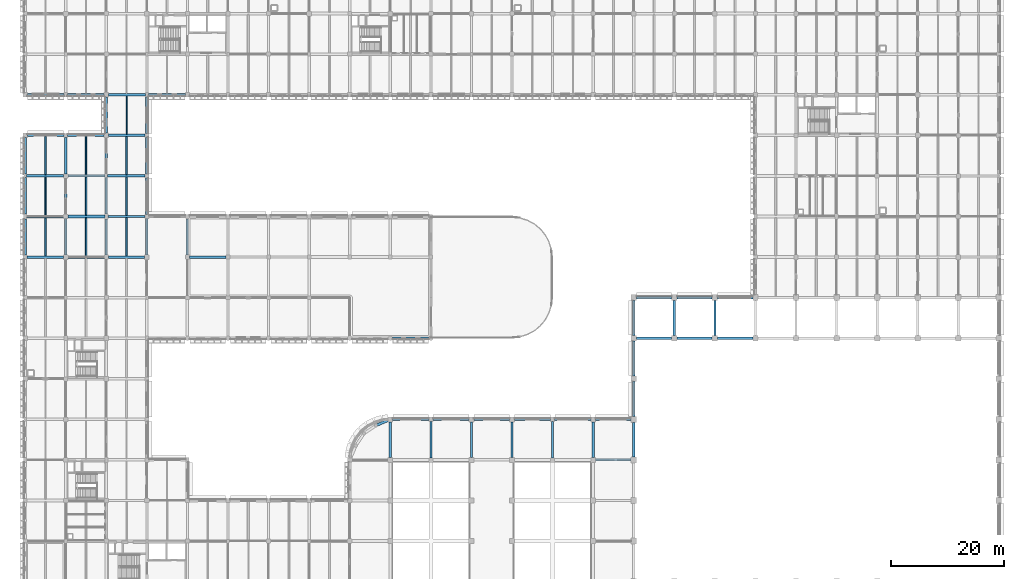
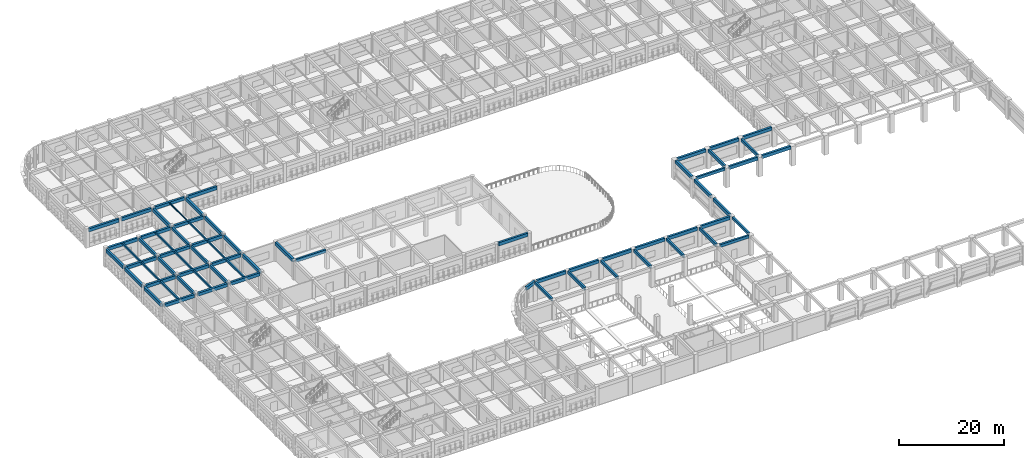
# One storey, part 6 of 61: 69 beams.
"""IFC4 building model written with IfcOpenShell, lengths in metres."""

from ifc_helpers import new_model, si_unit, direction, frame, origin, origin_2d, place, context, subcontext, project, spatial, rectangle, i_section, extrude, material, material_profile, profile_set, type_object, element, save


model = new_model("IFC4")

# Units and contexts
model_context = context("Model", 3, precision=1e-05, world=origin(), true_north=direction((0.0, 1.0)))
body_context = subcontext(model_context, "Body", "Model", "MODEL_VIEW")
ifc_project = project(units=[si_unit("LENGTHUNIT", "METRE"), si_unit("AREAUNIT", "SQUARE_METRE"), si_unit("VOLUMEUNIT", "CUBIC_METRE"), si_unit("PLANEANGLEUNIT", "RADIAN"), si_unit("MASSUNIT", "GRAM", prefix="KILO")], contexts=[model_context])

# Site, building, storey
site_placement = place(None, origin())
site = spatial("IfcSite", under=ifc_project, at=site_placement, CompositionType="ELEMENT")
building_placement = place(site_placement, origin())
building = spatial("IfcBuilding", under=site, at=building_placement, Name="Thalmaran Polytechnic", CompositionType="ELEMENT")
storey_placement = place(building_placement, frame((0.0, 0.0, 9.89990234375)))
storey = spatial("IfcBuildingStorey", under=building, at=storey_placement, Name="L02", CompositionType="ELEMENT", Elevation=9.89990234375)

# Beams
ifc_material_1 = material(Name="Concrete C40/50", Category="concrete")
ifc_material_profile_1 = material_profile(ifc_material_1, rectangle(XDim=0.449951171875, YDim=0.72509765625, at=origin_2d()), Name="RC 450x725")
ifc_profile_set_1 = profile_set([ifc_material_profile_1], Name="Concrete C40/50")
beam_type_1 = type_object("IfcBeamType", Name="BM-RC04", PredefinedType="BEAM", material=ifc_profile_set_1)
beam_1_placement = place(storey_placement, frame((7.590087890625, 64.800048828125, 3.862548828125), z_axis=(1.0, 0.0, 0.0), x_axis=(0.0, 1.0, 0.0)))
element("IfcBeam", 1, at=beam_1_placement, inside=storey, type_object=beam_type_1, Name="Grid Beam B04 L02 X(1,9)", PredefinedType="BEAM", context=body_context, shape_type="SweptSolid", body=[
    extrude(rectangle(XDim=0.449951171875, YDim=0.72509765625, at=origin_2d()), origin(), (0.0, 0.0, 1.0), 6.4599609375),
])
beam_2_placement = place(storey_placement, frame((7.574951171875, 72.0, 3.862548828125), z_axis=(1.0, 0.0, 0.0), x_axis=(0.0, 1.0, 0.0)))
element("IfcBeam", 2, at=beam_2_placement, inside=storey, type_object=beam_type_1, Name="Grid Beam B04 L02 X(1,10)", PredefinedType="BEAM", context=body_context, shape_type="SweptSolid", body=[
    extrude(rectangle(XDim=0.449951171875, YDim=0.72509765625, at=origin_2d()), origin(), (0.0, 0.0, 1.0), 6.550048828125),
])
beam_3_placement = place(storey_placement, frame((7.56005859375, 79.199951171875, 3.862548828125), z_axis=(1.0, 0.0, 0.0), x_axis=(0.0, 1.0, 0.0)))
element("IfcBeam", 3, at=beam_3_placement, inside=storey, type_object=beam_type_1, Name="Grid Beam B04 L02 X(1,11)", PredefinedType="BEAM", context=body_context, shape_type="SweptSolid", body=[
    extrude(rectangle(XDim=0.449951171875, YDim=0.72509765625, at=origin_2d()), origin(), (0.0, 0.0, 1.0), 6.639892578125),
])
ifc_material_profile_2 = material_profile(ifc_material_1, rectangle(XDim=0.39990234375, YDim=0.64990234375, at=origin_2d()), Name="RC 400x650")
ifc_profile_set_2 = profile_set([ifc_material_profile_2], Name="Concrete C40/50")
beam_type_2 = type_object("IfcBeamType", Name="BM-RC06", PredefinedType="BEAM", material=ifc_profile_set_2)
beam_4_placement = place(storey_placement, frame((108.47509765625, 50.39990234375, 4.175048828125), z_axis=(1.0, 0.0, 0.0), x_axis=(0.0, 1.0, 0.0)))
element("IfcBeam", 4, at=beam_4_placement, inside=storey, type_object=beam_type_2, Name="Grid Beam B06 L02 X(15,7)", PredefinedType="BEAM", context=body_context, shape_type="SweptSolid", body=[
    extrude(rectangle(XDim=0.39990234375, YDim=0.64990234375, at=origin_2d()), origin(), (0.0, 0.0, 1.0), 6.25),
])
ifc_material_profile_3 = material_profile(ifc_material_1, rectangle(XDim=0.39990234375, YDim=0.6298828125, at=origin_2d()), Name="RC 400x630")
ifc_profile_set_3 = profile_set([ifc_material_profile_3], Name="Concrete C40/50")
beam_type_3 = type_object("IfcBeamType", Name="BM-RC07", PredefinedType="BEAM", material=ifc_profile_set_3)
beam_5_placement = place(storey_placement, frame((7.199951171875, 79.56005859375, 3.91015625), z_axis=(0.0, 1.0, 0.0), x_axis=(-1.0, 0.0, 0.0)))
element("IfcBeam", 5, at=beam_5_placement, inside=storey, type_object=beam_type_3, Name="Grid Beam B07 L02 Y(1,11)", PredefinedType="BEAM", context=body_context, shape_type="SweptSolid", body=[
    extrude(rectangle(XDim=0.39990234375, YDim=0.6298828125, at=origin_2d()), origin(), (0.0, 0.0, 1.0), 6.489990234375),
])
beam_6_placement = place(storey_placement, frame((14.39990234375, 79.5, 3.91015625), z_axis=(0.0, 1.0, 0.0), x_axis=(-1.0, 0.0, 0.0)))
element("IfcBeam", 6, at=beam_6_placement, inside=storey, type_object=beam_type_3, Name="Grid Beam B07 L02 Y(2,11)", PredefinedType="BEAM", context=body_context, shape_type="SweptSolid", body=[
    extrude(rectangle(XDim=0.39990234375, YDim=0.6298828125, at=origin_2d()), origin(), (0.0, 0.0, 1.0), 6.510009765625),
])
beam_7_placement = place(storey_placement, frame((64.800048828125, 29.22509765625, 4.18505859375), z_axis=(0.0, 1.0, 0.0), x_axis=(-1.0, 0.0, 0.0)))
element("IfcBeam", 7, at=beam_7_placement, inside=storey, type_object=beam_type_3, Name="Grid Beam B07 L02 Y(9,4)", PredefinedType="BEAM", context=body_context, shape_type="SweptSolid", body=[
    extrude(rectangle(XDim=0.39990234375, YDim=0.6298828125, at=origin_2d()), origin(), (0.0, 0.0, 1.0), 6.349853515625),
])
beam_8_placement = place(storey_placement, frame((72.0, 29.175048828125, 4.18505859375), z_axis=(0.0, 1.0, 0.0), x_axis=(-1.0, 0.0, 0.0)))
element("IfcBeam", 8, at=beam_8_placement, inside=storey, type_object=beam_type_3, Name="Grid Beam B07 L02 Y(10,4)", PredefinedType="BEAM", context=body_context, shape_type="SweptSolid", body=[
    extrude(rectangle(XDim=0.39990234375, YDim=0.6298828125, at=origin_2d()), origin(), (0.0, 0.0, 1.0), 6.449951171875),
])
for number, where, z_axis, x_axis, name in (
    (9, (79.199951171875, 29.22509765625, 4.18505859375), (0.0, 1.0, 0.0), (-1.0, 0.0, 0.0), "Grid Beam B07 L02 Y(11,4)"),
    (10, (86.39990234375, 29.22509765625, 4.18505859375), (0.0, 1.0, 0.0), (-1.0, 0.0, 0.0), "Grid Beam B07 L02 Y(12,4)"),
):
    element("IfcBeam", number, at=place(storey_placement, frame(where, z_axis=z_axis, x_axis=x_axis)), inside=storey, type_object=beam_type_3, Name=name, PredefinedType="BEAM", context=body_context, shape_type="SweptSolid", body=[
        extrude(rectangle(XDim=0.39990234375, YDim=0.6298828125, at=origin_2d()), origin(), (0.0, 0.0, 1.0), 6.349853515625),
    ])
beam_9_placement = place(storey_placement, frame((93.60009765625, 29.175048828125, 4.18505859375), z_axis=(0.0, 1.0, 0.0), x_axis=(-1.0, 0.0, 0.0)))
element("IfcBeam", 11, at=beam_9_placement, inside=storey, type_object=beam_type_3, Name="Grid Beam B07 L02 Y(13,4)", PredefinedType="BEAM", context=body_context, shape_type="SweptSolid", body=[
    extrude(rectangle(XDim=0.39990234375, YDim=0.6298828125, at=origin_2d()), origin(), (0.0, 0.0, 1.0), 6.449951171875),
])
beam_10_placement = place(storey_placement, frame((100.800048828125, 29.22509765625, 4.18505859375), z_axis=(0.0, 1.0, 0.0), x_axis=(-1.0, 0.0, 0.0)))
element("IfcBeam", 12, at=beam_10_placement, inside=storey, type_object=beam_type_3, Name="Grid Beam B07 L02 Y(14,4)", PredefinedType="BEAM", context=body_context, shape_type="SweptSolid", body=[
    extrude(rectangle(XDim=0.39990234375, YDim=0.6298828125, at=origin_2d()), origin(), (0.0, 0.0, 1.0), 6.349853515625),
])
beam_11_placement = place(storey_placement, frame((108.0, 29.324951171875, 4.18505859375), z_axis=(0.0, 1.0, 0.0), x_axis=(-1.0, 0.0, 0.0)))
element("IfcBeam", 13, at=beam_11_placement, inside=storey, type_object=beam_type_3, Name="Grid Beam B07 L02 Y(15,4)", PredefinedType="BEAM", context=body_context, shape_type="SweptSolid", body=[
    extrude(rectangle(XDim=0.39990234375, YDim=0.6298828125, at=origin_2d()), origin(), (0.0, 0.0, 1.0), 6.150146484375),
])
ifc_material_profile_4 = material_profile(ifc_material_1, rectangle(XDim=0.389892578125, YDim=0.695068359375, at=origin_2d()), Name="RC 390x695")
ifc_profile_set_4 = profile_set([ifc_material_profile_4], Name="Concrete C40/50")
beam_type_4 = type_object("IfcBeamType", Name="BM-RC10", PredefinedType="BEAM", material=ifc_profile_set_4)
beam_12_placement = place(storey_placement, frame((7.199951171875, 72.375, 3.877685546875), z_axis=(0.0, 1.0, 0.0), x_axis=(-1.0, 0.0, 0.0)))
element("IfcBeam", 14, at=beam_12_placement, inside=storey, type_object=beam_type_4, Name="Grid Beam B10 L02 Y(1,10)", PredefinedType="BEAM", context=body_context, shape_type="SweptSolid", body=[
    extrude(rectangle(XDim=0.389892578125, YDim=0.695068359375, at=origin_2d()), origin(), (0.0, 0.0, 1.0), 6.465087890625),
])
beam_13_placement = place(storey_placement, frame((14.39990234375, 72.425048828125, 3.877685546875), z_axis=(0.0, 1.0, 0.0), x_axis=(-1.0, 0.0, 0.0)))
element("IfcBeam", 15, at=beam_13_placement, inside=storey, type_object=beam_type_4, Name="Grid Beam B10 L02 Y(2,10)", PredefinedType="BEAM", context=body_context, shape_type="SweptSolid", body=[
    extrude(rectangle(XDim=0.389892578125, YDim=0.695068359375, at=origin_2d()), origin(), (0.0, 0.0, 1.0), 6.474853515625),
])
ifc_material_profile_5 = material_profile(ifc_material_1, rectangle(XDim=0.300048828125, YDim=0.449951171875, at=origin_2d()), Name="RC 300x450")
ifc_profile_set_5 = profile_set([ifc_material_profile_5], Name="Concrete C40/50")
beam_type_5 = type_object("IfcBeamType", Name="BM-RC12", PredefinedType="JOIST", material=ifc_profile_set_5)
beam_14_placement = place(storey_placement, frame((3.60009765625, 65.030029296875, 4.0), z_axis=(0.0, 1.0, 0.0), x_axis=(-1.0, 0.0, 0.0)))
element("IfcBeam", 16, at=beam_14_placement, inside=storey, type_object=beam_type_5, Name="Secondary Floor Rib RB02 L02 (0,9)", PredefinedType="JOIST", context=body_context, shape_type="SweptSolid", body=[
    extrude(rectangle(XDim=0.300048828125, YDim=0.449951171875, at=origin_2d()), origin(), (0.0, 0.0, 1.0), 6.739990234375),
])
ifc_material_profile_6 = material_profile(ifc_material_1, rectangle(XDim=0.280029296875, YDim=0.449951171875, at=origin_2d()), Name="RC 280x450")
ifc_profile_set_6 = profile_set([ifc_material_profile_6], Name="Concrete C40/50")
beam_type_6 = type_object("IfcBeamType", Name="BM-RC13", PredefinedType="JOIST", material=ifc_profile_set_6)
beam_15_placement = place(storey_placement, frame((3.60009765625, 79.429931640625, 4.0), z_axis=(0.0, 1.0, 0.0), x_axis=(-1.0, 0.0, 0.0)))
element("IfcBeam", 17, at=beam_15_placement, inside=storey, type_object=beam_type_6, Name="Secondary Floor Rib RB03 L02 (0,11)", PredefinedType="JOIST", context=body_context, shape_type="SweptSolid", body=[
    extrude(rectangle(XDim=0.280029296875, YDim=0.449951171875, at=origin_2d()), origin(), (0.0, 0.0, 1.0), 6.7451171875),
])
beam_16_placement = place(storey_placement, frame((10.800048828125, 72.22509765625, 4.0), z_axis=(0.0, 1.0, 0.0), x_axis=(-1.0, 0.0, 0.0)))
element("IfcBeam", 18, at=beam_16_placement, inside=storey, type_object=beam_type_6, Name="Secondary Floor Rib RB03 L02 (1,10)", PredefinedType="JOIST", context=body_context, shape_type="SweptSolid", body=[
    extrude(rectangle(XDim=0.280029296875, YDim=0.449951171875, at=origin_2d()), origin(), (0.0, 0.0, 1.0), 6.75),
])
beam_17_placement = place(storey_placement, frame((18.0, 65.02001953125, 4.0), z_axis=(0.0, 1.0, 0.0), x_axis=(-1.0, 0.0, 0.0)))
element("IfcBeam", 19, at=beam_17_placement, inside=storey, type_object=beam_type_6, Name="Secondary Floor Rib RB03 L02 (2,9)", PredefinedType="JOIST", context=body_context, shape_type="SweptSolid", body=[
    extrude(rectangle(XDim=0.280029296875, YDim=0.449951171875, at=origin_2d()), origin(), (0.0, 0.0, 1.0), 6.760009765625),
])
ifc_material_2 = material(Name="Steel S355", Category="steel")
ifc_material_profile_7 = material_profile(ifc_material_2, i_section(OverallWidth=0.159912109375, OverallDepth=0.330078125, WebThickness=0.007568359375, FlangeThickness=0.011474609375, at=origin_2d()), Name="IPE 330")
ifc_profile_set_7 = profile_set([ifc_material_profile_7], Name="Steel S355")
beam_type_7 = type_object("IfcBeamType", Name="BM-SJ02", PredefinedType="JOIST", material=ifc_profile_set_7)
beam_18_placement = place(storey_placement, frame((18.0, 86.6201171875, 4.06005859375), z_axis=(0.0, 1.0, 0.0), x_axis=(-1.0, 0.0, 0.0)))
element("IfcBeam", 20, at=beam_18_placement, inside=storey, type_object=beam_type_7, Name="Secondary Floor Rib SJ02 L02 (2,12)", PredefinedType="JOIST", context=body_context, shape_type="SweptSolid", body=[
    extrude(i_section(OverallWidth=0.159912109375, OverallDepth=0.330078125, WebThickness=0.007568359375, FlangeThickness=0.011474609375, at=origin_2d()), origin(), (0.0, 0.0, 1.0), 6.759765625),
])
ifc_material_profile_8 = material_profile(ifc_material_1, rectangle(XDim=0.449951171875, YDim=0.7548828125, at=origin_2d()), Name="RC 450x755")
ifc_profile_set_8 = profile_set([ifc_material_profile_8], Name="Concrete C40/50")
beam_type_8 = type_object("IfcBeamType", Name="BM-SP02", PredefinedType="SPANDREL", material=ifc_profile_set_8)
beam_19_placement = place(storey_placement, frame((0.389892578125, 86.39990234375, 3.84765625), z_axis=(1.0, 0.0, 0.0), x_axis=(0.0, 1.0, 0.0)))
element("IfcBeam", 21, at=beam_19_placement, inside=storey, type_object=beam_type_8, Name="Grid Beam SP02 L02 X(0,12)", PredefinedType="SPANDREL", context=body_context, shape_type="SweptSolid", body=[
    extrude(rectangle(XDim=0.449951171875, YDim=0.7548828125, at=origin_2d()), origin(), (0.0, 0.0, 1.0), 6.460205078125),
])
beam_20_placement = place(storey_placement, frame((0.375, 93.60009765625, 3.84765625), z_axis=(1.0, 0.0, 0.0), x_axis=(0.0, 1.0, 0.0)))
element("IfcBeam", 22, at=beam_20_placement, inside=storey, type_object=beam_type_8, Name="Grid Beam SP02 L02 X(0,13)", PredefinedType="SPANDREL", context=body_context, shape_type="SweptSolid", body=[
    extrude(rectangle(XDim=0.449951171875, YDim=0.7548828125, at=origin_2d()), origin(), (0.0, 0.0, 1.0), 6.550048828125),
])
beam_21_placement = place(storey_placement, frame((7.550048828125, 86.39990234375, 3.84765625), z_axis=(1.0, 0.0, 0.0), x_axis=(0.0, 1.0, 0.0)))
element("IfcBeam", 23, at=beam_21_placement, inside=storey, type_object=beam_type_8, Name="Grid Beam SP02 L02 X(1,12)", PredefinedType="SPANDREL", context=body_context, shape_type="SweptSolid", body=[
    extrude(rectangle(XDim=0.449951171875, YDim=0.7548828125, at=origin_2d()), origin(), (0.0, 0.0, 1.0), 6.4599609375),
])
beam_22_placement = place(storey_placement, frame((7.47509765625, 93.60009765625, 3.84765625), z_axis=(1.0, 0.0, 0.0), x_axis=(0.0, 1.0, 0.0)))
element("IfcBeam", 24, at=beam_22_placement, inside=storey, type_object=beam_type_8, Name="Grid Beam SP02 L02 X(1,13)", PredefinedType="SPANDREL", context=body_context, shape_type="SweptSolid", body=[
    extrude(rectangle(XDim=0.449951171875, YDim=0.7548828125, at=origin_2d()), origin(), (0.0, 0.0, 1.0), 6.5498046875),
])
beam_23_placement = place(storey_placement, frame((21.875, 93.60009765625, 3.84765625), z_axis=(1.0, 0.0, 0.0), x_axis=(0.0, 1.0, 0.0)))
element("IfcBeam", 25, at=beam_23_placement, inside=storey, type_object=beam_type_8, Name="Grid Beam SP02 L02 X(3,13)", PredefinedType="SPANDREL", context=body_context, shape_type="SweptSolid", body=[
    extrude(rectangle(XDim=0.449951171875, YDim=0.7548828125, at=origin_2d()), origin(), (0.0, 0.0, 1.0), 6.550048828125),
])
beam_24_placement = place(storey_placement, frame((65.22509765625, 36.0, 4.12255859375), z_axis=(1.0, 0.0, 0.0), x_axis=(0.0, 1.0, 0.0)))
element("IfcBeam", 26, at=beam_24_placement, inside=storey, type_object=beam_type_8, Name="Grid Beam SP02 L02 X(9,5)", PredefinedType="SPANDREL", context=body_context, shape_type="SweptSolid", body=[
    extrude(rectangle(XDim=0.449951171875, YDim=0.7548828125, at=origin_2d()), origin(), (0.0, 0.0, 1.0), 6.39990234375),
])
beam_25_placement = place(storey_placement, frame((65.199951171875, 50.39990234375, 4.12255859375), z_axis=(1.0, 0.0, 0.0), x_axis=(0.0, 1.0, 0.0)))
element("IfcBeam", 27, at=beam_25_placement, inside=storey, type_object=beam_type_8, Name="Grid Beam SP02 L02 X(9,7)", PredefinedType="SPANDREL", context=body_context, shape_type="SweptSolid", body=[
    extrude(rectangle(XDim=0.449951171875, YDim=0.7548828125, at=origin_2d()), origin(), (0.0, 0.0, 1.0), 6.400146484375),
])
beam_26_placement = place(storey_placement, frame((72.375, 36.0, 4.12255859375), z_axis=(1.0, 0.0, 0.0), x_axis=(0.0, 1.0, 0.0)))
element("IfcBeam", 28, at=beam_26_placement, inside=storey, type_object=beam_type_8, Name="Grid Beam SP02 L02 X(10,5)", PredefinedType="SPANDREL", context=body_context, shape_type="SweptSolid", body=[
    extrude(rectangle(XDim=0.449951171875, YDim=0.7548828125, at=origin_2d()), origin(), (0.0, 0.0, 1.0), 6.39990234375),
])
beam_27_placement = place(storey_placement, frame((79.625, 36.0, 4.12255859375), z_axis=(1.0, 0.0, 0.0), x_axis=(0.0, 1.0, 0.0)))
element("IfcBeam", 29, at=beam_27_placement, inside=storey, type_object=beam_type_8, Name="Grid Beam SP02 L02 X(11,5)", PredefinedType="SPANDREL", context=body_context, shape_type="SweptSolid", body=[
    extrude(rectangle(XDim=0.449951171875, YDim=0.7548828125, at=origin_2d()), origin(), (0.0, 0.0, 1.0), 6.35009765625),
])
beam_28_placement = place(storey_placement, frame((86.824951171875, 36.0, 4.12255859375), z_axis=(1.0, 0.0, 0.0), x_axis=(0.0, 1.0, 0.0)))
element("IfcBeam", 30, at=beam_28_placement, inside=storey, type_object=beam_type_8, Name="Grid Beam SP02 L02 X(12,5)", PredefinedType="SPANDREL", context=body_context, shape_type="SweptSolid", body=[
    extrude(rectangle(XDim=0.449951171875, YDim=0.7548828125, at=origin_2d()), origin(), (0.0, 0.0, 1.0), 6.400146484375),
])
beam_29_placement = place(storey_placement, frame((93.97509765625, 36.0, 4.12255859375), z_axis=(1.0, 0.0, 0.0), x_axis=(0.0, 1.0, 0.0)))
element("IfcBeam", 31, at=beam_29_placement, inside=storey, type_object=beam_type_8, Name="Grid Beam SP02 L02 X(13,5)", PredefinedType="SPANDREL", context=body_context, shape_type="SweptSolid", body=[
    extrude(rectangle(XDim=0.449951171875, YDim=0.7548828125, at=origin_2d()), origin(), (0.0, 0.0, 1.0), 6.39990234375),
])
beam_30_placement = place(storey_placement, frame((101.22509765625, 36.0, 4.12255859375), z_axis=(1.0, 0.0, 0.0), x_axis=(0.0, 1.0, 0.0)))
element("IfcBeam", 32, at=beam_30_placement, inside=storey, type_object=beam_type_8, Name="Grid Beam SP02 L02 X(14,5)", PredefinedType="SPANDREL", context=body_context, shape_type="SweptSolid", body=[
    extrude(rectangle(XDim=0.449951171875, YDim=0.7548828125, at=origin_2d()), origin(), (0.0, 0.0, 1.0), 6.2998046875),
])
for number, where, z_axis, x_axis, name in (
    (33, (108.47509765625, 57.60009765625, 4.12255859375), (1.0, 0.0, 0.0), (0.0, 1.0, 0.0), "Grid Beam SP02 L02 X(15,8)"),
    (34, (115.675048828125, 50.39990234375, 4.12255859375), (1.0, 0.0, 0.0), (0.0, 1.0, 0.0), "Grid Beam SP02 L02 X(16,7)"),
    (35, (115.675048828125, 57.60009765625, 4.12255859375), (1.0, 0.0, 0.0), (0.0, 1.0, 0.0), "Grid Beam SP02 L02 X(16,8)"),
    (36, (122.875, 50.39990234375, 4.12255859375), (1.0, 0.0, 0.0), (0.0, 1.0, 0.0), "Grid Beam SP02 L02 X(17,7)"),
    (37, (122.875, 57.60009765625, 4.12255859375), (1.0, 0.0, 0.0), (0.0, 1.0, 0.0), "Grid Beam SP02 L02 X(17,8)"),
):
    element("IfcBeam", number, at=place(storey_placement, frame(where, z_axis=z_axis, x_axis=x_axis)), inside=storey, type_object=beam_type_8, Name=name, PredefinedType="SPANDREL", context=body_context, shape_type="SweptSolid", body=[
        extrude(rectangle(XDim=0.449951171875, YDim=0.7548828125, at=origin_2d()), origin(), (0.0, 0.0, 1.0), 6.25),
    ])
beam_31_placement = place(storey_placement, frame((0.0, 65.14990234375, 3.84765625), z_axis=(0.0, 1.0, 0.0), x_axis=(-1.0, 0.0, 0.0)))
element("IfcBeam", 38, at=beam_31_placement, inside=storey, type_object=beam_type_8, Name="Grid Beam SP02 L02 Y(0,9)", PredefinedType="SPANDREL", context=body_context, shape_type="SweptSolid", body=[
    extrude(rectangle(XDim=0.449951171875, YDim=0.7548828125, at=origin_2d()), origin(), (0.0, 0.0, 1.0), 6.425048828125),
])
beam_32_placement = place(storey_placement, frame((0.0, 72.425048828125, 3.84765625), z_axis=(0.0, 1.0, 0.0), x_axis=(-1.0, 0.0, 0.0)))
element("IfcBeam", 39, at=beam_32_placement, inside=storey, type_object=beam_type_8, Name="Grid Beam SP02 L02 Y(0,10)", PredefinedType="SPANDREL", context=body_context, shape_type="SweptSolid", body=[
    extrude(rectangle(XDim=0.449951171875, YDim=0.7548828125, at=origin_2d()), origin(), (0.0, 0.0, 1.0), 6.474853515625),
])
beam_33_placement = place(storey_placement, frame((0.0, 79.5, 3.84765625), z_axis=(0.0, 1.0, 0.0), x_axis=(-1.0, 0.0, 0.0)))
element("IfcBeam", 40, at=beam_33_placement, inside=storey, type_object=beam_type_8, Name="Grid Beam SP02 L02 Y(0,11)", PredefinedType="SPANDREL", context=body_context, shape_type="SweptSolid", body=[
    extrude(rectangle(XDim=0.449951171875, YDim=0.7548828125, at=origin_2d()), origin(), (0.0, 0.0, 1.0), 6.510009765625),
])
for number, where, z_axis, x_axis, name in (
    (41, (14.39990234375, 86.7900390625, 3.84765625), (0.0, 1.0, 0.0), (-1.0, 0.0, 0.0), "Grid Beam SP02 L02 Y(2,12)"),
    (42, (21.60009765625, 65.18994140625, 3.84765625), (0.0, 1.0, 0.0), (-1.0, 0.0, 0.0), "Grid Beam SP02 L02 Y(3,9)"),
):
    element("IfcBeam", number, at=place(storey_placement, frame(where, z_axis=z_axis, x_axis=x_axis)), inside=storey, type_object=beam_type_8, Name=name, PredefinedType="SPANDREL", context=body_context, shape_type="SweptSolid", body=[
        extrude(rectangle(XDim=0.449951171875, YDim=0.7548828125, at=origin_2d()), origin(), (0.0, 0.0, 1.0), 6.43505859375),
    ])
beam_34_placement = place(storey_placement, frame((21.60009765625, 72.375, 3.84765625), z_axis=(0.0, 1.0, 0.0), x_axis=(-1.0, 0.0, 0.0)))
element("IfcBeam", 43, at=beam_34_placement, inside=storey, type_object=beam_type_8, Name="Grid Beam SP02 L02 Y(3,10)", PredefinedType="SPANDREL", context=body_context, shape_type="SweptSolid", body=[
    extrude(rectangle(XDim=0.449951171875, YDim=0.7548828125, at=origin_2d()), origin(), (0.0, 0.0, 1.0), 6.465087890625),
])
beam_35_placement = place(storey_placement, frame((21.60009765625, 79.56005859375, 3.84765625), z_axis=(0.0, 1.0, 0.0), x_axis=(-1.0, 0.0, 0.0)))
element("IfcBeam", 44, at=beam_35_placement, inside=storey, type_object=beam_type_8, Name="Grid Beam SP02 L02 Y(3,11)", PredefinedType="SPANDREL", context=body_context, shape_type="SweptSolid", body=[
    extrude(rectangle(XDim=0.449951171875, YDim=0.7548828125, at=origin_2d()), origin(), (0.0, 0.0, 1.0), 6.489990234375),
])
beam_36_placement = place(storey_placement, frame((21.60009765625, 86.75, 3.84765625), z_axis=(0.0, 1.0, 0.0), x_axis=(-1.0, 0.0, 0.0)))
element("IfcBeam", 45, at=beam_36_placement, inside=storey, type_object=beam_type_8, Name="Grid Beam SP02 L02 Y(3,12)", PredefinedType="SPANDREL", context=body_context, shape_type="SweptSolid", body=[
    extrude(rectangle(XDim=0.449951171875, YDim=0.7548828125, at=origin_2d()), origin(), (0.0, 0.0, 1.0), 6.425048828125),
])
beam_37_placement = place(storey_placement, frame((28.800048828125, 65.125, 4.12255859375), z_axis=(0.0, 1.0, 0.0), x_axis=(-1.0, 0.0, 0.0)))
element("IfcBeam", 46, at=beam_37_placement, inside=storey, type_object=beam_type_8, Name="Grid Beam SP02 L02 Y(4,9)", PredefinedType="SPANDREL", context=body_context, shape_type="SweptSolid", body=[
    extrude(rectangle(XDim=0.449951171875, YDim=0.7548828125, at=origin_2d()), origin(), (0.0, 0.0, 1.0), 6.47509765625),
])
beam_38_placement = place(storey_placement, frame((108.0, 36.52490234375, 4.12255859375), z_axis=(0.0, 1.0, 0.0), x_axis=(-1.0, 0.0, 0.0)))
element("IfcBeam", 47, at=beam_38_placement, inside=storey, type_object=beam_type_8, Name="Grid Beam SP02 L02 Y(15,5)", PredefinedType="SPANDREL", context=body_context, shape_type="SweptSolid", body=[
    extrude(rectangle(XDim=0.449951171875, YDim=0.7548828125, at=origin_2d()), origin(), (0.0, 0.0, 1.0), 6.150146484375),
])
for number, where, z_axis, x_axis, name in (
    (48, (108.0, 43.72509765625, 4.12255859375), (0.0, 1.0, 0.0), (-1.0, 0.0, 0.0), "Grid Beam SP02 L02 Y(15,6)"),
    (49, (108.0, 50.925048828125, 4.12255859375), (0.0, 1.0, 0.0), (-1.0, 0.0, 0.0), "Grid Beam SP02 L02 Y(15,7)"),
):
    element("IfcBeam", number, at=place(storey_placement, frame(where, z_axis=z_axis, x_axis=x_axis)), inside=storey, type_object=beam_type_8, Name=name, PredefinedType="SPANDREL", context=body_context, shape_type="SweptSolid", body=[
        extrude(rectangle(XDim=0.449951171875, YDim=0.7548828125, at=origin_2d()), origin(), (0.0, 0.0, 1.0), 6.14990234375),
    ])
beam_39_placement = place(storey_placement, frame((64.800048828125, 36.0, 4.16015625), z_axis=(-0.919378582929, -0.39337389498, 0.0), x_axis=(0.39337389498, -0.919378582929, 0.0)))
element("IfcBeam", 50, at=beam_39_placement, inside=storey, type_object=beam_type_8, Name="Lecture Curved Eave Ring Beam 1", PredefinedType="SPANDREL", context=body_context, shape_type="SweptSolid", body=[
    extrude(rectangle(XDim=0.449951171875, YDim=0.7548828125, at=origin_2d()), origin(), (0.0, 0.0, 1.0), 2.755615234375),
])
ifc_material_profile_9 = material_profile(ifc_material_1, rectangle(XDim=0.4599609375, YDim=0.739990234375, at=origin_2d()), Name="RC 460x740")
ifc_profile_set_9 = profile_set([ifc_material_profile_9], Name="Concrete C40/50")
beam_type_9 = type_object("IfcBeamType", Name="BM-ZB02", PredefinedType="BEAM", material=ifc_profile_set_9)
beam_40_placement = place(storey_placement, frame((0.35009765625, 64.800048828125, 3.85498046875), z_axis=(1.0, 0.0, 0.0), x_axis=(0.0, 1.0, 0.0)))
element("IfcBeam", 51, at=beam_40_placement, inside=storey, type_object=beam_type_9, Name="Grid Beam ZB02 L02 X(0,9)", PredefinedType="BEAM", context=body_context, shape_type="SweptSolid", body=[
    extrude(rectangle(XDim=0.4599609375, YDim=0.739990234375, at=origin_2d()), origin(), (0.0, 0.0, 1.0), 6.4599609375),
])
beam_41_placement = place(storey_placement, frame((0.27490234375, 72.0, 3.85498046875), z_axis=(1.0, 0.0, 0.0), x_axis=(0.0, 1.0, 0.0)))
element("IfcBeam", 52, at=beam_41_placement, inside=storey, type_object=beam_type_9, Name="Grid Beam ZB02 L02 X(0,10)", PredefinedType="BEAM", context=body_context, shape_type="SweptSolid", body=[
    extrude(rectangle(XDim=0.4599609375, YDim=0.739990234375, at=origin_2d()), origin(), (0.0, 0.0, 1.0), 6.550048828125),
])
beam_42_placement = place(storey_placement, frame((0.199951171875, 79.199951171875, 3.85498046875), z_axis=(1.0, 0.0, 0.0), x_axis=(0.0, 1.0, 0.0)))
element("IfcBeam", 53, at=beam_42_placement, inside=storey, type_object=beam_type_9, Name="Grid Beam ZB02 L02 X(0,11)", PredefinedType="BEAM", context=body_context, shape_type="SweptSolid", body=[
    extrude(rectangle(XDim=0.4599609375, YDim=0.739990234375, at=origin_2d()), origin(), (0.0, 0.0, 1.0), 6.64013671875),
])
ifc_material_profile_10 = material_profile(ifc_material_1, rectangle(XDim=0.43994140625, YDim=0.719970703125, at=origin_2d()), Name="RC 440x720")
ifc_profile_set_10 = profile_set([ifc_material_profile_10], Name="Concrete C40/50")
beam_type_10 = type_object("IfcBeamType", Name="BM-ZB03", PredefinedType="BEAM", material=ifc_profile_set_10)
beam_43_placement = place(storey_placement, frame((14.75, 64.800048828125, 3.864990234375), z_axis=(1.0, 0.0, 0.0), x_axis=(0.0, 1.0, 0.0)))
element("IfcBeam", 54, at=beam_43_placement, inside=storey, type_object=beam_type_10, Name="Grid Beam ZB03 L02 X(2,9)", PredefinedType="BEAM", context=body_context, shape_type="SweptSolid", body=[
    extrude(rectangle(XDim=0.43994140625, YDim=0.719970703125, at=origin_2d()), origin(), (0.0, 0.0, 1.0), 6.4599609375),
])
beam_44_placement = place(storey_placement, frame((14.675048828125, 72.0, 3.864990234375), z_axis=(1.0, 0.0, 0.0), x_axis=(0.0, 1.0, 0.0)))
element("IfcBeam", 55, at=beam_44_placement, inside=storey, type_object=beam_type_10, Name="Grid Beam ZB03 L02 X(2,10)", PredefinedType="BEAM", context=body_context, shape_type="SweptSolid", body=[
    extrude(rectangle(XDim=0.43994140625, YDim=0.719970703125, at=origin_2d()), origin(), (0.0, 0.0, 1.0), 6.550048828125),
])
beam_45_placement = place(storey_placement, frame((14.60009765625, 79.199951171875, 3.864990234375), z_axis=(1.0, 0.0, 0.0), x_axis=(0.0, 1.0, 0.0)))
element("IfcBeam", 56, at=beam_45_placement, inside=storey, type_object=beam_type_10, Name="Grid Beam ZB03 L02 X(2,11)", PredefinedType="BEAM", context=body_context, shape_type="SweptSolid", body=[
    extrude(rectangle(XDim=0.43994140625, YDim=0.719970703125, at=origin_2d()), origin(), (0.0, 0.0, 1.0), 6.639892578125),
])
beam_46_placement = place(storey_placement, frame((14.7900390625, 86.39990234375, 3.864990234375), z_axis=(1.0, 0.0, 0.0), x_axis=(0.0, 1.0, 0.0)))
element("IfcBeam", 57, at=beam_46_placement, inside=storey, type_object=beam_type_10, Name="Grid Beam ZB03 L02 X(2,12)", PredefinedType="BEAM", context=body_context, shape_type="SweptSolid", body=[
    extrude(rectangle(XDim=0.43994140625, YDim=0.719970703125, at=origin_2d()), origin(), (0.0, 0.0, 1.0), 6.4599609375),
])
beam_47_placement = place(storey_placement, frame((14.77490234375, 93.60009765625, 3.864990234375), z_axis=(1.0, 0.0, 0.0), x_axis=(0.0, 1.0, 0.0)))
element("IfcBeam", 58, at=beam_47_placement, inside=storey, type_object=beam_type_10, Name="Grid Beam ZB03 L02 X(2,13)", PredefinedType="BEAM", context=body_context, shape_type="SweptSolid", body=[
    extrude(rectangle(XDim=0.43994140625, YDim=0.719970703125, at=origin_2d()), origin(), (0.0, 0.0, 1.0), 6.550048828125),
])
ifc_material_profile_11 = material_profile(ifc_material_1, rectangle(XDim=0.419921875, YDim=0.659912109375, at=origin_2d()), Name="RC 420x660")
ifc_profile_set_11 = profile_set([ifc_material_profile_11], Name="Concrete C40/50")
beam_type_11 = type_object("IfcBeamType", Name="BM-ZB04", PredefinedType="BEAM", material=ifc_profile_set_11)
beam_48_placement = place(storey_placement, frame((29.125, 64.800048828125, 4.170166015625), z_axis=(1.0, 0.0, 0.0), x_axis=(0.0, 1.0, 0.0)))
element("IfcBeam", 59, at=beam_48_placement, inside=storey, type_object=beam_type_11, Name="Grid Beam ZB04 L02 X(4,9)", PredefinedType="BEAM", context=body_context, shape_type="SweptSolid", body=[
    extrude(rectangle(XDim=0.419921875, YDim=0.659912109375, at=origin_2d()), origin(), (0.0, 0.0, 1.0), 6.550048828125),
])
beam_49_placement = place(storey_placement, frame((101.22509765625, 28.800048828125, 4.170166015625), z_axis=(1.0, 0.0, 0.0), x_axis=(0.0, 1.0, 0.0)))
element("IfcBeam", 60, at=beam_49_placement, inside=storey, type_object=beam_type_11, Name="Grid Beam ZB04 L02 X(14,4)", PredefinedType="BEAM", context=body_context, shape_type="SweptSolid", body=[
    extrude(rectangle(XDim=0.419921875, YDim=0.659912109375, at=origin_2d()), origin(), (0.0, 0.0, 1.0), 6.2998046875),
])
ifc_material_profile_12 = material_profile(ifc_material_1, rectangle(XDim=0.39990234375, YDim=0.68505859375, at=origin_2d()), Name="RC 400x685")
ifc_profile_set_12 = profile_set([ifc_material_profile_12], Name="Concrete C40/50")
beam_type_12 = type_object("IfcBeamType", Name="BM-ZB07", PredefinedType="BEAM", material=ifc_profile_set_12)
for number, where, z_axis, x_axis, name in (
    (61, (115.199951171875, 50.925048828125, 4.15771484375), (0.0, 1.0, 0.0), (-1.0, 0.0, 0.0), "Grid Beam ZB07 L02 Y(16,7)"),
    (62, (122.39990234375, 50.925048828125, 4.15771484375), (0.0, 1.0, 0.0), (-1.0, 0.0, 0.0), "Grid Beam ZB07 L02 Y(17,7)"),
):
    element("IfcBeam", number, at=place(storey_placement, frame(where, z_axis=z_axis, x_axis=x_axis)), inside=storey, type_object=beam_type_12, Name=name, PredefinedType="BEAM", context=body_context, shape_type="SweptSolid", body=[
        extrude(rectangle(XDim=0.39990234375, YDim=0.68505859375, at=origin_2d()), origin(), (0.0, 0.0, 1.0), 6.14990234375),
    ])
ifc_material_profile_13 = material_profile(ifc_material_1, rectangle(XDim=0.39990234375, YDim=0.695068359375, at=origin_2d()), Name="RC 400x695")
ifc_profile_set_13 = profile_set([ifc_material_profile_13], Name="Concrete C40/50")
beam_type_13 = type_object("IfcBeamType", Name="BM-ZB08", PredefinedType="BEAM", material=ifc_profile_set_13)
beam_50_placement = place(storey_placement, frame((7.199951171875, 65.18994140625, 3.877685546875), z_axis=(0.0, 1.0, 0.0), x_axis=(-1.0, 0.0, 0.0)))
element("IfcBeam", 63, at=beam_50_placement, inside=storey, type_object=beam_type_13, Name="Grid Beam ZB08 L02 Y(1,9)", PredefinedType="BEAM", context=body_context, shape_type="SweptSolid", body=[
    extrude(rectangle(XDim=0.39990234375, YDim=0.695068359375, at=origin_2d()), origin(), (0.0, 0.0, 1.0), 6.43505859375),
])
beam_51_placement = place(storey_placement, frame((14.39990234375, 65.14990234375, 3.877685546875), z_axis=(0.0, 1.0, 0.0), x_axis=(-1.0, 0.0, 0.0)))
element("IfcBeam", 64, at=beam_51_placement, inside=storey, type_object=beam_type_13, Name="Grid Beam ZB08 L02 Y(2,9)", PredefinedType="BEAM", context=body_context, shape_type="SweptSolid", body=[
    extrude(rectangle(XDim=0.39990234375, YDim=0.695068359375, at=origin_2d()), origin(), (0.0, 0.0, 1.0), 6.425048828125),
])
ifc_material_profile_14 = material_profile(ifc_material_1, rectangle(XDim=0.260009765625, YDim=0.43994140625, at=origin_2d()), Name="RC 260x440")
ifc_profile_set_14 = profile_set([ifc_material_profile_14], Name="Concrete C40/50")
beam_type_14 = type_object("IfcBeamType", Name="BM-ZJ02", PredefinedType="JOIST", material=ifc_profile_set_14)
beam_52_placement = place(storey_placement, frame((3.60009765625, 72.22998046875, 4.005126953125), z_axis=(0.0, 1.0, 0.0), x_axis=(-1.0, 0.0, 0.0)))
element("IfcBeam", 65, at=beam_52_placement, inside=storey, type_object=beam_type_14, Name="Secondary Floor Rib ZJ02 L02 (0,10)", PredefinedType="JOIST", context=body_context, shape_type="SweptSolid", body=[
    extrude(rectangle(XDim=0.260009765625, YDim=0.43994140625, at=origin_2d()), origin(), (0.0, 0.0, 1.0), 6.739990234375),
])
beam_53_placement = place(storey_placement, frame((10.800048828125, 65.02490234375, 4.005126953125), z_axis=(0.0, 1.0, 0.0), x_axis=(-1.0, 0.0, 0.0)))
element("IfcBeam", 66, at=beam_53_placement, inside=storey, type_object=beam_type_14, Name="Secondary Floor Rib ZJ02 L02 (1,9)", PredefinedType="JOIST", context=body_context, shape_type="SweptSolid", body=[
    extrude(rectangle(XDim=0.260009765625, YDim=0.43994140625, at=origin_2d()), origin(), (0.0, 0.0, 1.0), 6.75),
])
ifc_material_profile_15 = material_profile(ifc_material_1, rectangle(XDim=0.25, YDim=0.419921875, at=origin_2d()), Name="RC 250x420")
ifc_profile_set_15 = profile_set([ifc_material_profile_15], Name="Concrete C40/50")
beam_type_15 = type_object("IfcBeamType", Name="BM-ZJ03", PredefinedType="JOIST", material=ifc_profile_set_15)
beam_54_placement = place(storey_placement, frame((10.800048828125, 79.425048828125, 4.01513671875), z_axis=(0.0, 1.0, 0.0), x_axis=(-1.0, 0.0, 0.0)))
element("IfcBeam", 67, at=beam_54_placement, inside=storey, type_object=beam_type_15, Name="Secondary Floor Rib ZJ03 L02 (1,11)", PredefinedType="JOIST", context=body_context, shape_type="SweptSolid", body=[
    extrude(rectangle(XDim=0.25, YDim=0.419921875, at=origin_2d()), origin(), (0.0, 0.0, 1.0), 6.75),
])
beam_55_placement = place(storey_placement, frame((18.0, 72.219970703125, 4.01513671875), z_axis=(0.0, 1.0, 0.0), x_axis=(-1.0, 0.0, 0.0)))
element("IfcBeam", 68, at=beam_55_placement, inside=storey, type_object=beam_type_15, Name="Secondary Floor Rib ZJ03 L02 (2,10)", PredefinedType="JOIST", context=body_context, shape_type="SweptSolid", body=[
    extrude(rectangle(XDim=0.25, YDim=0.419921875, at=origin_2d()), origin(), (0.0, 0.0, 1.0), 6.760009765625),
])
ifc_material_profile_16 = material_profile(ifc_material_1, rectangle(XDim=0.239990234375, YDim=0.39990234375, at=origin_2d()), Name="RC 240x400")
ifc_profile_set_16 = profile_set([ifc_material_profile_16], Name="Concrete C40/50")
beam_type_16 = type_object("IfcBeamType", Name="BM-ZJ04", PredefinedType="JOIST", material=ifc_profile_set_16)
beam_56_placement = place(storey_placement, frame((18.0, 79.419921875, 4.025146484375), z_axis=(0.0, 1.0, 0.0), x_axis=(-1.0, 0.0, 0.0)))
element("IfcBeam", 69, at=beam_56_placement, inside=storey, type_object=beam_type_16, Name="Secondary Floor Rib ZJ04 L02 (2,11)", PredefinedType="JOIST", context=body_context, shape_type="SweptSolid", body=[
    extrude(rectangle(XDim=0.239990234375, YDim=0.39990234375, at=origin_2d()), origin(), (0.0, 0.0, 1.0), 6.760009765625),
])

save(model, "model.ifc")
